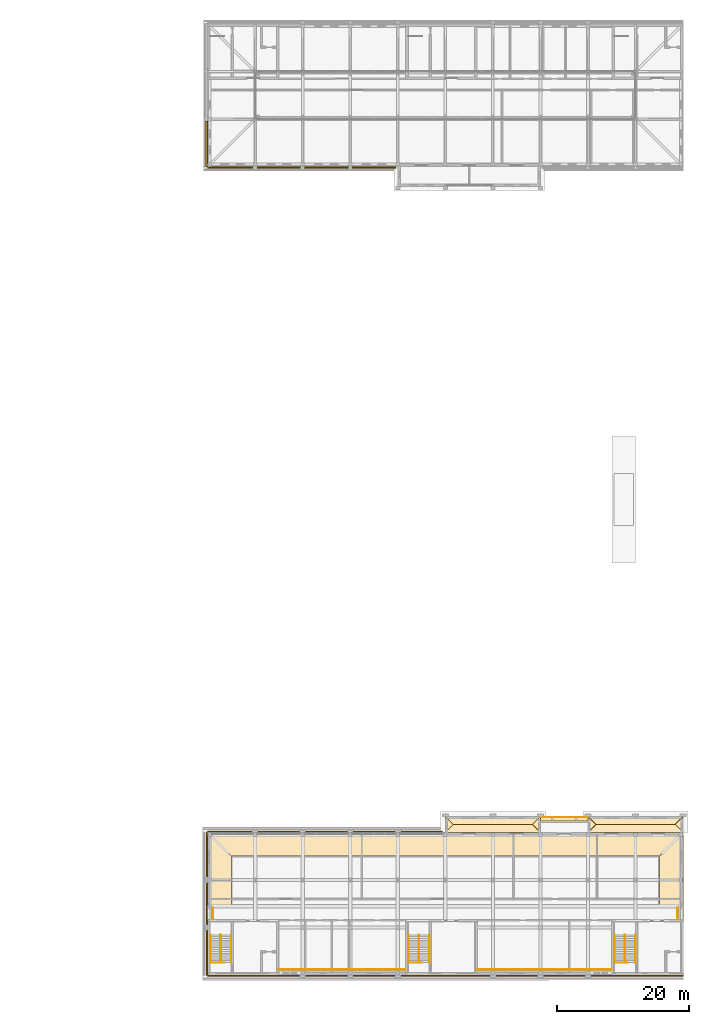
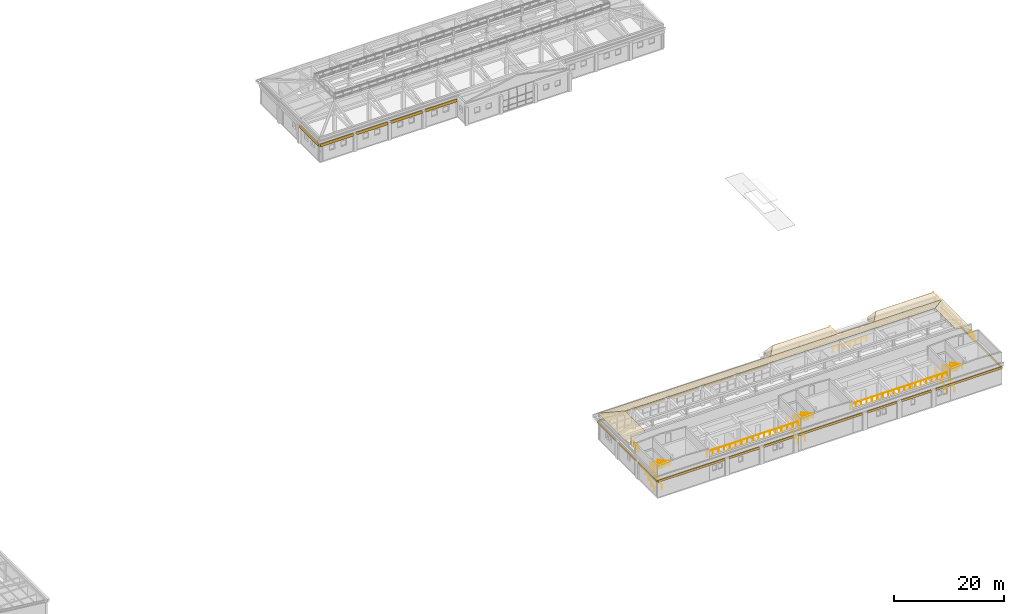
# One storey, part 47 of 48: 33 coverings, 20 railings.
"""IFC4 building model written with IfcOpenShell, lengths in metres."""

from ifc_helpers import new_model, si_unit, direction, frame, frame_2d, origin, origin_2d, place, context, subcontext, project, spatial, polyline, rectangle, circle, outline, extrude, material, layer, layer_set, type_object, element, save


model = new_model("IFC4")

# Units and contexts
model_context = context("Model", 3, precision=1e-05, world=origin(), true_north=direction((0.0, 1.0)))
body_context = subcontext(model_context, "Body", "Model", "MODEL_VIEW")
ifc_project = project(units=[si_unit("LENGTHUNIT", "METRE"), si_unit("AREAUNIT", "SQUARE_METRE"), si_unit("VOLUMEUNIT", "CUBIC_METRE"), si_unit("PLANEANGLEUNIT", "RADIAN"), si_unit("MASSUNIT", "GRAM", prefix="KILO")], contexts=[model_context])

# Site, building, storey
site_placement = place(None, origin())
site = spatial("IfcSite", under=ifc_project, at=site_placement, CompositionType="ELEMENT")
building_placement = place(site_placement, origin())
building = spatial("IfcBuilding", under=site, at=building_placement, Name="Alderwick Market Hall", CompositionType="ELEMENT")
storey_placement = place(building_placement, frame((0.0, 0.0, 14.39990234375)))
storey = spatial("IfcBuildingStorey", under=building, at=storey_placement, Name="L02", CompositionType="ELEMENT", Elevation=14.39990234375)

# Coverings
ifc_material_1 = material(Name="Copper standing seam roofing")
ifc_layer_1 = layer(ifc_material_1, 0.030029296875)
ifc_layer_set_1 = layer_set([ifc_layer_1], Name="Copper standing seam roofing")
covering_type_1 = type_object("IfcCoveringType", Name="C Copper Standing Seam Roofing", PredefinedType="ROOFING", material=ifc_layer_set_1)
covering_1_placement = place(storey_placement, frame((158.39990234375, 28.800048828125, 5.549560546875), z_axis=(0.0, 0.373591298385, 0.92759341404), x_axis=(1.0, 0.0, 0.0)))
element("IfcCovering", 1, at=covering_1_placement, inside=storey, type_object=covering_type_1, Name="C.roofing.L02.front", PredefinedType="ROOFING", context=body_context, shape_type="SweptSolid", body=[
    extrude(outline(polyline([(0.0, 0.0), (72.0, 0.0), (68.400146484375, -3.88111601673519), (3.60009765625, -3.88111601673519), (0.0, 0.0)])), origin(), (0.0, 0.0, -1.0), 0.030029296875),
])
covering_2_placement = place(storey_placement, frame((158.39990234375, 28.800048828125, 5.549560546875), z_axis=(-0.373591298385, 0.0, 0.92759341404), x_axis=(0.0, -1.0, 0.0)))
element("IfcCovering", 2, at=covering_2_placement, inside=storey, type_object=covering_type_1, Name="C.roofing.L02.west", PredefinedType="ROOFING", context=body_context, shape_type="SweptSolid", body=[
    extrude(outline(polyline([(0.0, 0.0), (11.0, 0.0), (11.0, 3.8811160167351906), (3.60009765625, 3.8811160167351906), (0.0, 0.0)])), origin(), (0.0, 0.0, -1.0), 0.030029296875),
])
covering_3_placement = place(storey_placement, frame((230.39990234375, 28.800048828125, 5.549560546875), z_axis=(0.373613098617, 0.0, 0.927584633627), x_axis=(0.0, -1.0, 0.0)))
element("IfcCovering", 3, at=covering_3_placement, inside=storey, type_object=covering_type_1, Name="C.roofing.L02.east", PredefinedType="ROOFING", context=body_context, shape_type="SweptSolid", body=[
    extrude(outline(polyline([(0.0, 0.0), (11.0, 0.0), (11.0, -3.8808895545711373), (3.60009765625, -3.8808895545711373), (0.0, 0.0)])), origin(), (0.0, 0.0, -1.0), 0.030029296875),
])
covering_4_placement = place(storey_placement, frame((194.39990234375, 31.199951171875, 5.080078125), z_axis=(0.0, 0.824739584531, 0.5655127034), x_axis=(1.0, 0.0, 0.0)))
element("IfcCovering", 4, at=covering_4_placement, inside=storey, type_object=covering_type_1, Name="C.proofing.L02.1.f", PredefinedType="ROOFING", context=body_context, shape_type="SweptSolid", body=[
    extrude(outline(polyline([(0.0, 0.0), (14.400146484375, 0.0), (13.2001953125, -2.121881904085189), (1.2001953125, -2.121881904085189), (0.0, 0.0)])), origin(), (0.0, 0.0, -1.0), 0.030029296875),
])
covering_5_placement = place(storey_placement, frame((208.800048828125, 28.800048828125, 5.080078125), z_axis=(0.0, -0.824739584531, 0.5655127034), x_axis=(-1.0, 0.0, 0.0)))
element("IfcCovering", 5, at=covering_5_placement, inside=storey, type_object=covering_type_1, Name="C.proofing.L02.1.b", PredefinedType="ROOFING", context=body_context, shape_type="SweptSolid", body=[
    extrude(outline(polyline([(0.0, 0.0), (14.400146484375, 0.0), (13.199951171875, -2.121881904085189), (1.199951171875, -2.121881904085189), (0.0, 0.0)])), origin(), (0.0, 0.0, -1.0), 0.030029296875),
])
covering_6_placement = place(storey_placement, frame((194.39990234375, 28.800048828125, 5.080078125), z_axis=(-0.824685920927, 0.0, 0.565590958047), x_axis=(0.0, 1.0, 0.0)))
element("IfcCovering", 6, at=covering_6_placement, inside=storey, type_object=covering_type_1, Name="C.proofing.L02.1.w", PredefinedType="ROOFING", context=body_context, shape_type="SweptSolid", body=[
    extrude(outline(polyline([(0.0, 0.0), (2.39990234375, 0.0), (1.199951171875, -2.122019978262922), (0.0, 0.0)])), origin(), (0.0, 0.0, -1.0), 0.030029296875),
])
covering_7_placement = place(storey_placement, frame((208.800048828125, 31.199951171875, 5.080078125), z_axis=(0.824739584531, 0.0, 0.5655127034), x_axis=(0.0, -1.0, 0.0)))
element("IfcCovering", 7, at=covering_7_placement, inside=storey, type_object=covering_type_1, Name="C.proofing.L02.1.e", PredefinedType="ROOFING", context=body_context, shape_type="SweptSolid", body=[
    extrude(outline(polyline([(0.0, 0.0), (2.39990234375, 0.0), (1.199951171875, -2.1218819040851886), (0.0, 0.0)])), origin(), (0.0, 0.0, -1.0), 0.030029296875),
])
for number, where, z_axis, x_axis, name in (
    (8, (216.0, 31.199951171875, 5.080078125), (0.0, 0.824739584531, 0.5655127034), (1.0, 0.0, 0.0), "C.proofing.L02.2.f"),
    (9, (230.39990234375, 28.800048828125, 5.080078125), (0.0, -0.824739584531, 0.5655127034), (-1.0, 0.0, 0.0), "C.proofing.L02.2.b"),
):
    element("IfcCovering", number, at=place(storey_placement, frame(where, z_axis=z_axis, x_axis=x_axis)), inside=storey, type_object=covering_type_1, Name=name, PredefinedType="ROOFING", context=body_context, shape_type="SweptSolid", body=[
        extrude(outline(polyline([(0.0, 0.0), (14.39990234375, 0.0), (13.199951171875, -2.1218819040851886), (1.199951171875, -2.1218819040851886), (0.0, 0.0)])), origin(), (0.0, 0.0, -1.0), 0.030029296875),
    ])
for number, where, z_axis, x_axis, name in (
    (10, (216.0, 28.800048828125, 5.080078125), (-0.824739584531, 0.0, 0.5655127034), (0.0, 1.0, 0.0), "C.proofing.L02.2.w"),
    (11, (230.39990234375, 31.199951171875, 5.080078125), (0.824739584531, 0.0, 0.5655127034), (0.0, -1.0, 0.0), "C.proofing.L02.2.e"),
):
    element("IfcCovering", number, at=place(storey_placement, frame(where, z_axis=z_axis, x_axis=x_axis)), inside=storey, type_object=covering_type_1, Name=name, PredefinedType="ROOFING", context=body_context, shape_type="SweptSolid", body=[
        extrude(outline(polyline([(0.0, 0.0), (2.39990234375, 0.0), (1.199951171875, -2.1218819040851886), (0.0, 0.0)])), origin(), (0.0, 0.0, -1.0), 0.030029296875),
    ])
ifc_material_2 = material(Name="Cast stone 5000 psi", Category="masonry")
ifc_layer_2 = layer(ifc_material_2, 0.199951171875)
ifc_layer_set_2 = layer_set([ifc_layer_2], Name="Cast stone 5000 psi")
covering_type_2 = type_object("IfcCoveringType", Name="C Frieze Cast Stone 200x450", PredefinedType="CLADDING", material=ifc_layer_set_2)
covering_8_placement = place(storey_placement, frame((158.39990234375, 28.89990234375, 3.4501953125), z_axis=(0.0, 0.0, 1.0), x_axis=(1.0, 0.0, 0.0)))
element("IfcCovering", 12, at=covering_8_placement, inside=storey, type_object=covering_type_2, Name="C.wall.L02.frieze.front.01", PredefinedType="CLADDING", context=body_context, shape_type="SweptSolid", body=[
    extrude(rectangle(XDim=6.75, YDim=0.199951171875, at=frame_2d((3.375, 0.0))), origin(), (0.0, 0.0, 1.0), 0.449951171875),
])
for number, where, z_axis, x_axis, name in (
    (13, (166.050048828125, 28.89990234375, 3.4501953125), (0.0, 0.0, 1.0), (1.0, 0.0, 0.0), "C.wall.L02.frieze.front.02"),
    (14, (173.25, 28.89990234375, 3.4501953125), (0.0, 0.0, 1.0), (1.0, 0.0, 0.0), "C.wall.L02.frieze.front.03"),
    (15, (180.449951171875, 28.89990234375, 3.4501953125), (0.0, 0.0, 1.0), (1.0, 0.0, 0.0), "C.wall.L02.frieze.front.04"),
    (16, (187.64990234375, 28.89990234375, 3.4501953125), (0.0, 0.0, 1.0), (1.0, 0.0, 0.0), "C.wall.L02.frieze.front.05"),
):
    element("IfcCovering", number, at=place(storey_placement, frame(where, z_axis=z_axis, x_axis=x_axis)), inside=storey, type_object=covering_type_2, Name=name, PredefinedType="CLADDING", context=body_context, shape_type="SweptSolid", body=[
        extrude(rectangle(XDim=6.300048828125, YDim=0.199951171875, at=frame_2d((3.14990234375, 0.0))), origin(), (0.0, 0.0, 1.0), 0.449951171875),
    ])
covering_9_placement = place(storey_placement, frame((172.35009765625, 7.10009765625, 3.4501953125), z_axis=(0.0, 0.0, 1.0), x_axis=(-1.0, 0.0, 0.0)))
element("IfcCovering", 17, at=covering_9_placement, inside=storey, type_object=covering_type_2, Name="C.wall.L02.frieze.back.01", PredefinedType="CLADDING", context=body_context, shape_type="SweptSolid", body=[
    extrude(rectangle(XDim=13.9501953125, YDim=0.199951171875, at=frame_2d((6.97509765625, 0.0))), origin(), (0.0, 0.0, 1.0), 0.449951171875),
])
for number, where, z_axis, x_axis, name in (
    (18, (179.550048828125, 7.10009765625, 3.4501953125), (0.0, 0.0, 1.0), (-1.0, 0.0, 0.0), "C.wall.L02.frieze.back.02"),
    (19, (186.75, 7.10009765625, 3.4501953125), (0.0, 0.0, 1.0), (-1.0, 0.0, 0.0), "C.wall.L02.frieze.back.03"),
):
    element("IfcCovering", number, at=place(storey_placement, frame(where, z_axis=z_axis, x_axis=x_axis)), inside=storey, type_object=covering_type_2, Name=name, PredefinedType="CLADDING", context=body_context, shape_type="SweptSolid", body=[
        extrude(rectangle(XDim=6.300048828125, YDim=0.199951171875, at=frame_2d((3.14990234375, 0.0))), origin(), (0.0, 0.0, 1.0), 0.449951171875),
    ])
covering_10_placement = place(storey_placement, frame((201.14990234375, 7.10009765625, 3.4501953125), z_axis=(0.0, 0.0, 1.0), x_axis=(-1.0, 0.0, 0.0)))
element("IfcCovering", 20, at=covering_10_placement, inside=storey, type_object=covering_type_2, Name="C.wall.L02.frieze.back.04", PredefinedType="CLADDING", context=body_context, shape_type="SweptSolid", body=[
    extrude(rectangle(XDim=13.5, YDim=0.199951171875, at=frame_2d((6.75, 0.0))), origin(), (0.0, 0.0, 1.0), 0.449951171875),
])
for number, where, z_axis, x_axis, name in (
    (21, (208.35009765625, 7.10009765625, 3.4501953125), (0.0, 0.0, 1.0), (-1.0, 0.0, 0.0), "C.wall.L02.frieze.back.05"),
    (22, (215.550048828125, 7.10009765625, 3.4501953125), (0.0, 0.0, 1.0), (-1.0, 0.0, 0.0), "C.wall.L02.frieze.back.06"),
):
    element("IfcCovering", number, at=place(storey_placement, frame(where, z_axis=z_axis, x_axis=x_axis)), inside=storey, type_object=covering_type_2, Name=name, PredefinedType="CLADDING", context=body_context, shape_type="SweptSolid", body=[
        extrude(rectangle(XDim=6.300048828125, YDim=0.199951171875, at=frame_2d((3.14990234375, 0.0))), origin(), (0.0, 0.0, 1.0), 0.449951171875),
    ])
covering_11_placement = place(storey_placement, frame((230.39990234375, 7.10009765625, 3.4501953125), z_axis=(0.0, 0.0, 1.0), x_axis=(-1.0, 0.0, 0.0)))
element("IfcCovering", 23, at=covering_11_placement, inside=storey, type_object=covering_type_2, Name="C.wall.L02.frieze.back.07", PredefinedType="CLADDING", context=body_context, shape_type="SweptSolid", body=[
    extrude(rectangle(XDim=13.949951171875, YDim=0.199951171875, at=frame_2d((6.97509765625, 0.0))), origin(), (0.0, 0.0, 1.0), 0.449951171875),
])
covering_12_placement = place(storey_placement, frame((158.300048828125, 22.050048828125, 3.4501953125), z_axis=(0.0, 0.0, 1.0), x_axis=(0.0, 1.0, 0.0)))
element("IfcCovering", 24, at=covering_12_placement, inside=storey, type_object=covering_type_2, Name="C.wall.L02.frieze.west.01", PredefinedType="CLADDING", context=body_context, shape_type="SweptSolid", body=[
    extrude(rectangle(XDim=6.75, YDim=0.199951171875, at=frame_2d((3.375, 0.0))), origin(), (0.0, 0.0, 1.0), 0.449951171875),
])
covering_13_placement = place(storey_placement, frame((158.300048828125, 14.85009765625, 3.4501953125), z_axis=(0.0, 0.0, 1.0), x_axis=(0.0, 1.0, 0.0)))
element("IfcCovering", 25, at=covering_13_placement, inside=storey, type_object=covering_type_2, Name="C.wall.L02.frieze.west.02", PredefinedType="CLADDING", context=body_context, shape_type="SweptSolid", body=[
    extrude(rectangle(XDim=6.2998046875, YDim=0.199951171875, at=frame_2d((3.14990234375, 0.0))), origin(), (0.0, 0.0, 1.0), 0.449951171875),
])
covering_14_placement = place(storey_placement, frame((158.300048828125, 7.199951171875, 3.4501953125), z_axis=(0.0, 0.0, 1.0), x_axis=(0.0, 1.0, 0.0)))
element("IfcCovering", 26, at=covering_14_placement, inside=storey, type_object=covering_type_2, Name="C.wall.L02.frieze.west.03", PredefinedType="CLADDING", context=body_context, shape_type="SweptSolid", body=[
    extrude(rectangle(XDim=6.75, YDim=0.199951171875, at=frame_2d((3.375, 0.0))), origin(), (0.0, 0.0, 1.0), 0.449951171875),
])
covering_15_placement = place(storey_placement, frame((230.300048828125, 28.800048828125, 3.4501953125), z_axis=(0.0, 0.0, 1.0), x_axis=(0.0, -1.0, 0.0)))
element("IfcCovering", 27, at=covering_15_placement, inside=storey, type_object=covering_type_2, Name="C.wall.L02.frieze.east.01", PredefinedType="CLADDING", context=body_context, shape_type="SweptSolid", body=[
    extrude(rectangle(XDim=21.60009765625, YDim=0.199951171875, at=frame_2d((10.800048828125, 0.0))), origin(), (0.0, 0.0, 1.0), 0.449951171875),
])
ifc_layer_3 = layer(ifc_material_2, 0.449951171875)
ifc_layer_set_3 = layer_set([ifc_layer_3], Name="Cast stone 5000 psi")
covering_type_3 = type_object("IfcCoveringType", Name="C Loggia Architrave Cast Stone 450x350", PredefinedType="CLADDING", material=ifc_layer_set_3)
covering_16_placement = place(storey_placement, frame((208.800048828125, 30.75, 3.9501953125), z_axis=(0.0, 0.0, 1.0), x_axis=(1.0, 0.0, 0.0)))
element("IfcCovering", 28, at=covering_16_placement, inside=storey, type_object=covering_type_3, Name="C.wall.L02.loggia.architrave.01", PredefinedType="CLADDING", context=body_context, shape_type="SweptSolid", body=[
    extrude(rectangle(XDim=7.199951171875, YDim=0.449951171875, at=frame_2d((3.60009765625, 0.0))), origin(), (0.0, 0.0, 1.0), 0.349853515625),
])

# Railings
ifc_material_3 = material(Name="Steel ASTM A500 Grade C", Category="steel")
railing_type_1 = type_object("IfcRailingType", Name="C Loggia Balustrade 1100", PredefinedType="BALUSTRADE", material=ifc_material_3)
railing_1_placement = place(storey_placement, frame((208.85009765625, 31.10009765625, 0.0)))
element("IfcRailing", 29, at=railing_1_placement, inside=storey, type_object=railing_type_1, Name="C.guard.L02.loggia", PredefinedType="BALUSTRADE", context=body_context, shape_type="SweptSolid", body=[
    extrude(circle(Radius=0.02392578125, at=origin_2d()), frame((0.0, 0.0, 1.076171875), z_axis=(1.0, 0.0, 0.0), x_axis=(0.0, 1.0, 0.0)), (0.0, 0.0, 1.0), 7.099853515625),
    extrude(circle(Radius=0.02099609375, at=origin_2d()), origin(), (0.0, 0.0, 1.0), 1.052001953125),
    extrude(circle(Radius=0.02099609375, at=origin_2d()), frame((1.183349609375, 0.0, 0.0)), (0.0, 0.0, 1.0), 1.052001953125),
    extrude(circle(Radius=0.02099609375, at=origin_2d()), frame((2.36669921875, 0.0, 0.0)), (0.0, 0.0, 1.0), 1.052001953125),
    extrude(circle(Radius=0.02099609375, at=origin_2d()), frame((3.5498046875, 0.0, 0.0)), (0.0, 0.0, 1.0), 1.052001953125),
    extrude(circle(Radius=0.02099609375, at=origin_2d()), frame((4.733154296875, 0.0, 0.0)), (0.0, 0.0, 1.0), 1.052001953125),
    extrude(circle(Radius=0.02099609375, at=origin_2d()), frame((5.91650390625, 0.0, 0.0)), (0.0, 0.0, 1.0), 1.052001953125),
    extrude(circle(Radius=0.02099609375, at=origin_2d()), frame((7.099853515625, 0.0, 0.0)), (0.0, 0.0, 1.0), 1.052001953125),
])
railing_type_2 = type_object("IfcRailingType", Name="C Roof Edge Balustrade 1100", PredefinedType="BALUSTRADE", material=ifc_material_3)
for number, where, name in (
    (30, (159.25, 17.35009765625, 4.800048828125), "C.guard.L02.roof.01"),
    (31, (229.550048828125, 17.35009765625, 4.800048828125), "C.guard.L02.roof.02"),
):
    element("IfcRailing", number, at=place(storey_placement, frame(where)), inside=storey, type_object=railing_type_2, Name=name, PredefinedType="BALUSTRADE", context=body_context, shape_type="SweptSolid", body=[
        extrude(circle(Radius=0.02392578125, at=origin_2d()), frame((0.0, 0.0, 1.076171875), z_axis=(0.0, -1.0, 0.0), x_axis=(1.0, 0.0, 0.0)), (0.0, 0.0, 1.0), 1.75),
        extrude(circle(Radius=0.02099609375, at=origin_2d()), origin(), (0.0, 0.0, 1.0), 1.052001953125),
        extrude(circle(Radius=0.02099609375, at=origin_2d()), frame((0.0, -0.875, 0.0)), (0.0, 0.0, 1.0), 1.052001953125),
        extrude(circle(Radius=0.02099609375, at=origin_2d()), frame((0.0, -1.75, 0.0)), (0.0, 0.0, 1.0), 1.052001953125),
    ])
railing_2_placement = place(storey_placement, frame((169.199951171875, 8.050048828125, 4.800048828125)))
element("IfcRailing", 32, at=railing_2_placement, inside=storey, type_object=railing_type_2, Name="C.guard.L02.roof.03", PredefinedType="BALUSTRADE", context=body_context, shape_type="SweptSolid", body=[
    extrude(circle(Radius=0.02392578125, at=origin_2d()), frame((0.0, 0.0, 1.076171875), z_axis=(1.0, 0.0, 0.0), x_axis=(0.0, 1.0, 0.0)), (0.0, 0.0, 1.0), 19.199951171875),
    extrude(circle(Radius=0.02099609375, at=origin_2d()), origin(), (0.0, 0.0, 1.0), 1.052001953125),
    extrude(circle(Radius=0.02099609375, at=origin_2d()), frame((1.199951171875, 0.0, 0.0)), (0.0, 0.0, 1.0), 1.052001953125),
    extrude(circle(Radius=0.02099609375, at=origin_2d()), frame((2.39990234375, 0.0, 0.0)), (0.0, 0.0, 1.0), 1.052001953125),
    extrude(circle(Radius=0.02099609375, at=origin_2d()), frame((3.60009765625, 0.0, 0.0)), (0.0, 0.0, 1.0), 1.052001953125),
    extrude(circle(Radius=0.02099609375, at=origin_2d()), frame((4.800048828125, 0.0, 0.0)), (0.0, 0.0, 1.0), 1.052001953125),
    extrude(circle(Radius=0.02099609375, at=origin_2d()), frame((6.0, 0.0, 0.0)), (0.0, 0.0, 1.0), 1.052001953125),
    extrude(circle(Radius=0.02099609375, at=origin_2d()), frame((7.199951171875, 0.0, 0.0)), (0.0, 0.0, 1.0), 1.052001953125),
    extrude(circle(Radius=0.02099609375, at=origin_2d()), frame((8.39990234375, 0.0, 0.0)), (0.0, 0.0, 1.0), 1.052001953125),
    extrude(circle(Radius=0.02099609375, at=origin_2d()), frame((9.60009765625, 0.0, 0.0)), (0.0, 0.0, 1.0), 1.052001953125),
    extrude(circle(Radius=0.02099609375, at=origin_2d()), frame((10.800048828125, 0.0, 0.0)), (0.0, 0.0, 1.0), 1.052001953125),
    extrude(circle(Radius=0.02099609375, at=origin_2d()), frame((12.0, 0.0, 0.0)), (0.0, 0.0, 1.0), 1.052001953125),
    extrude(circle(Radius=0.02099609375, at=origin_2d()), frame((13.199951171875, 0.0, 0.0)), (0.0, 0.0, 1.0), 1.052001953125),
    extrude(circle(Radius=0.02099609375, at=origin_2d()), frame((14.39990234375, 0.0, 0.0)), (0.0, 0.0, 1.0), 1.052001953125),
    extrude(circle(Radius=0.02099609375, at=origin_2d()), frame((15.599853515625, 0.0, 0.0)), (0.0, 0.0, 1.0), 1.052001953125),
    extrude(circle(Radius=0.02099609375, at=origin_2d()), frame((16.800048828125, 0.0, 0.0)), (0.0, 0.0, 1.0), 1.052001953125),
    extrude(circle(Radius=0.02099609375, at=origin_2d()), frame((18.0, 0.0, 0.0)), (0.0, 0.0, 1.0), 1.052001953125),
    extrude(circle(Radius=0.02099609375, at=origin_2d()), frame((19.199951171875, 0.0, 0.0)), (0.0, 0.0, 1.0), 1.052001953125),
])
railing_3_placement = place(storey_placement, frame((199.199951171875, 8.050048828125, 4.800048828125)))
element("IfcRailing", 33, at=railing_3_placement, inside=storey, type_object=railing_type_2, Name="C.guard.L02.roof.04", PredefinedType="BALUSTRADE", context=body_context, shape_type="SweptSolid", body=[
    extrude(circle(Radius=0.02392578125, at=origin_2d()), frame((0.0, 0.0, 1.076171875), z_axis=(1.0, 0.0, 0.0), x_axis=(0.0, 1.0, 0.0)), (0.0, 0.0, 1.0), 20.400146484375),
    extrude(circle(Radius=0.02099609375, at=origin_2d()), origin(), (0.0, 0.0, 1.0), 1.052001953125),
    extrude(circle(Radius=0.02099609375, at=origin_2d()), frame((1.13330078125, 0.0, 0.0)), (0.0, 0.0, 1.0), 1.052001953125),
    extrude(circle(Radius=0.02099609375, at=origin_2d()), frame((2.2666015625, 0.0, 0.0)), (0.0, 0.0, 1.0), 1.052001953125),
    extrude(circle(Radius=0.02099609375, at=origin_2d()), frame((3.39990234375, 0.0, 0.0)), (0.0, 0.0, 1.0), 1.052001953125),
    extrude(circle(Radius=0.02099609375, at=origin_2d()), frame((4.533447265625, 0.0, 0.0)), (0.0, 0.0, 1.0), 1.052001953125),
    extrude(circle(Radius=0.02099609375, at=origin_2d()), frame((5.666748046875, 0.0, 0.0)), (0.0, 0.0, 1.0), 1.052001953125),
    extrude(circle(Radius=0.02099609375, at=origin_2d()), frame((6.800048828125, 0.0, 0.0)), (0.0, 0.0, 1.0), 1.052001953125),
    extrude(circle(Radius=0.02099609375, at=origin_2d()), frame((7.933349609375, 0.0, 0.0)), (0.0, 0.0, 1.0), 1.052001953125),
    extrude(circle(Radius=0.02099609375, at=origin_2d()), frame((9.066650390625, 0.0, 0.0)), (0.0, 0.0, 1.0), 1.052001953125),
    extrude(circle(Radius=0.02099609375, at=origin_2d()), frame((10.2001953125, 0.0, 0.0)), (0.0, 0.0, 1.0), 1.052001953125),
    extrude(circle(Radius=0.02099609375, at=origin_2d()), frame((11.33349609375, 0.0, 0.0)), (0.0, 0.0, 1.0), 1.052001953125),
    extrude(circle(Radius=0.02099609375, at=origin_2d()), frame((12.466796875, 0.0, 0.0)), (0.0, 0.0, 1.0), 1.052001953125),
    extrude(circle(Radius=0.02099609375, at=origin_2d()), frame((13.60009765625, 0.0, 0.0)), (0.0, 0.0, 1.0), 1.052001953125),
    extrude(circle(Radius=0.02099609375, at=origin_2d()), frame((14.7333984375, 0.0, 0.0)), (0.0, 0.0, 1.0), 1.052001953125),
    extrude(circle(Radius=0.02099609375, at=origin_2d()), frame((15.86669921875, 0.0, 0.0)), (0.0, 0.0, 1.0), 1.052001953125),
    extrude(circle(Radius=0.02099609375, at=origin_2d()), frame((17.0, 0.0, 0.0)), (0.0, 0.0, 1.0), 1.052001953125),
    extrude(circle(Radius=0.02099609375, at=origin_2d()), frame((18.133544921875, 0.0, 0.0)), (0.0, 0.0, 1.0), 1.052001953125),
    extrude(circle(Radius=0.02099609375, at=origin_2d()), frame((19.266845703125, 0.0, 0.0)), (0.0, 0.0, 1.0), 1.052001953125),
    extrude(circle(Radius=0.02099609375, at=origin_2d()), frame((20.400146484375, 0.0, 0.0)), (0.0, 0.0, 1.0), 1.052001953125),
])
railing_type_3 = type_object("IfcRailingType", Name="C Stair Handrail 900", PredefinedType="HANDRAIL", material=ifc_material_3)
for number, where, name in (
    (34, (158.820068359375, 9.10009765625, 0.150146484375), "C.rail.L02.A.1"),
    (35, (160.3798828125, 9.10009765625, 0.150146484375), "C.rail.L02.A.2"),
):
    element("IfcRailing", number, at=place(storey_placement, frame(where)), inside=storey, type_object=railing_type_3, Name=name, PredefinedType="HANDRAIL", context=body_context, shape_type="SweptSolid", body=[
        extrude(circle(Radius=0.02392578125, at=origin_2d()), frame((0.0, 0.0, 0.8759765625), z_axis=(0.0, 0.881477684796, 0.472225678258), x_axis=(-1.0, 0.0, 0.0)), (0.0, 0.0, 1.0), 4.7646484375),
        extrude(circle(Radius=0.02099609375, at=origin_2d()), origin(), (0.0, 0.0, 1.0), 0.851806640625),
        extrude(circle(Radius=0.02099609375, at=origin_2d()), frame((0.0, 1.050048828125, 0.5625)), (0.0, 0.0, 1.0), 0.851806640625),
        extrude(circle(Radius=0.02099609375, at=origin_2d()), frame((0.0, 2.10009765625, 1.125)), (0.0, 0.0, 1.0), 0.851806640625),
        extrude(circle(Radius=0.02099609375, at=origin_2d()), frame((0.0, 3.14990234375, 1.6875)), (0.0, 0.0, 1.0), 0.851806640625),
        extrude(circle(Radius=0.02099609375, at=origin_2d()), frame((0.0, 4.199951171875, 2.25)), (0.0, 0.0, 1.0), 0.851806640625),
    ])
for number, where, name in (
    (36, (160.419921875, 13.300048828125, 2.550048828125), "C.rail.L02.A.3"),
    (37, (161.97998046875, 13.300048828125, 2.550048828125), "C.rail.L02.A.4"),
):
    element("IfcRailing", number, at=place(storey_placement, frame(where)), inside=storey, type_object=railing_type_3, Name=name, PredefinedType="HANDRAIL", context=body_context, shape_type="SweptSolid", body=[
        extrude(circle(Radius=0.02392578125, at=origin_2d()), frame((0.0, 0.0, 0.8759765625), z_axis=(0.0, -0.881477684796, 0.472225678258), x_axis=(1.0, 0.0, 0.0)), (0.0, 0.0, 1.0), 4.7646484375),
        extrude(circle(Radius=0.02099609375, at=origin_2d()), origin(), (0.0, 0.0, 1.0), 0.851806640625),
        extrude(circle(Radius=0.02099609375, at=origin_2d()), frame((0.0, -1.050048828125, 0.5625)), (0.0, 0.0, 1.0), 0.851806640625),
        extrude(circle(Radius=0.02099609375, at=origin_2d()), frame((0.0, -2.10009765625, 1.125)), (0.0, 0.0, 1.0), 0.851806640625),
        extrude(circle(Radius=0.02099609375, at=origin_2d()), frame((0.0, -3.14990234375, 1.6875)), (0.0, 0.0, 1.0), 0.851806640625),
        extrude(circle(Radius=0.02099609375, at=origin_2d()), frame((0.0, -4.199951171875, 2.25)), (0.0, 0.0, 1.0), 0.851806640625),
    ])
for number, where, name in (
    (38, (188.820068359375, 9.10009765625, 0.150146484375), "C.rail.L02.B.1"),
    (39, (190.3798828125, 9.10009765625, 0.150146484375), "C.rail.L02.B.2"),
):
    element("IfcRailing", number, at=place(storey_placement, frame(where)), inside=storey, type_object=railing_type_3, Name=name, PredefinedType="HANDRAIL", context=body_context, shape_type="SweptSolid", body=[
        extrude(circle(Radius=0.02392578125, at=origin_2d()), frame((0.0, 0.0, 0.8759765625), z_axis=(0.0, 0.881477684796, 0.472225678258), x_axis=(-1.0, 0.0, 0.0)), (0.0, 0.0, 1.0), 4.7646484375),
        extrude(circle(Radius=0.02099609375, at=origin_2d()), origin(), (0.0, 0.0, 1.0), 0.851806640625),
        extrude(circle(Radius=0.02099609375, at=origin_2d()), frame((0.0, 1.050048828125, 0.5625)), (0.0, 0.0, 1.0), 0.851806640625),
        extrude(circle(Radius=0.02099609375, at=origin_2d()), frame((0.0, 2.10009765625, 1.125)), (0.0, 0.0, 1.0), 0.851806640625),
        extrude(circle(Radius=0.02099609375, at=origin_2d()), frame((0.0, 3.14990234375, 1.6875)), (0.0, 0.0, 1.0), 0.851806640625),
        extrude(circle(Radius=0.02099609375, at=origin_2d()), frame((0.0, 4.199951171875, 2.25)), (0.0, 0.0, 1.0), 0.851806640625),
    ])
for number, where, name in (
    (40, (190.419921875, 13.300048828125, 2.550048828125), "C.rail.L02.B.3"),
    (41, (191.97998046875, 13.300048828125, 2.550048828125), "C.rail.L02.B.4"),
):
    element("IfcRailing", number, at=place(storey_placement, frame(where)), inside=storey, type_object=railing_type_3, Name=name, PredefinedType="HANDRAIL", context=body_context, shape_type="SweptSolid", body=[
        extrude(circle(Radius=0.02392578125, at=origin_2d()), frame((0.0, 0.0, 0.8759765625), z_axis=(0.0, -0.881477684796, 0.472225678258), x_axis=(1.0, 0.0, 0.0)), (0.0, 0.0, 1.0), 4.7646484375),
        extrude(circle(Radius=0.02099609375, at=origin_2d()), origin(), (0.0, 0.0, 1.0), 0.851806640625),
        extrude(circle(Radius=0.02099609375, at=origin_2d()), frame((0.0, -1.050048828125, 0.5625)), (0.0, 0.0, 1.0), 0.851806640625),
        extrude(circle(Radius=0.02099609375, at=origin_2d()), frame((0.0, -2.10009765625, 1.125)), (0.0, 0.0, 1.0), 0.851806640625),
        extrude(circle(Radius=0.02099609375, at=origin_2d()), frame((0.0, -3.14990234375, 1.6875)), (0.0, 0.0, 1.0), 0.851806640625),
        extrude(circle(Radius=0.02099609375, at=origin_2d()), frame((0.0, -4.199951171875, 2.25)), (0.0, 0.0, 1.0), 0.851806640625),
    ])
for number, where, name in (
    (42, (220.02001953125, 9.10009765625, 0.150146484375), "C.rail.L02.C.1"),
    (43, (221.580078125, 9.10009765625, 0.150146484375), "C.rail.L02.C.2"),
):
    element("IfcRailing", number, at=place(storey_placement, frame(where)), inside=storey, type_object=railing_type_3, Name=name, PredefinedType="HANDRAIL", context=body_context, shape_type="SweptSolid", body=[
        extrude(circle(Radius=0.02392578125, at=origin_2d()), frame((0.0, 0.0, 0.8759765625), z_axis=(0.0, 0.881477684796, 0.472225678258), x_axis=(-1.0, 0.0, 0.0)), (0.0, 0.0, 1.0), 4.7646484375),
        extrude(circle(Radius=0.02099609375, at=origin_2d()), origin(), (0.0, 0.0, 1.0), 0.851806640625),
        extrude(circle(Radius=0.02099609375, at=origin_2d()), frame((0.0, 1.050048828125, 0.5625)), (0.0, 0.0, 1.0), 0.851806640625),
        extrude(circle(Radius=0.02099609375, at=origin_2d()), frame((0.0, 2.10009765625, 1.125)), (0.0, 0.0, 1.0), 0.851806640625),
        extrude(circle(Radius=0.02099609375, at=origin_2d()), frame((0.0, 3.14990234375, 1.6875)), (0.0, 0.0, 1.0), 0.851806640625),
        extrude(circle(Radius=0.02099609375, at=origin_2d()), frame((0.0, 4.199951171875, 2.25)), (0.0, 0.0, 1.0), 0.851806640625),
    ])
for number, where, name in (
    (44, (221.6201171875, 13.300048828125, 2.550048828125), "C.rail.L02.C.3"),
    (45, (223.179931640625, 13.300048828125, 2.550048828125), "C.rail.L02.C.4"),
):
    element("IfcRailing", number, at=place(storey_placement, frame(where)), inside=storey, type_object=railing_type_3, Name=name, PredefinedType="HANDRAIL", context=body_context, shape_type="SweptSolid", body=[
        extrude(circle(Radius=0.02392578125, at=origin_2d()), frame((0.0, 0.0, 0.8759765625), z_axis=(0.0, -0.881477684796, 0.472225678258), x_axis=(1.0, 0.0, 0.0)), (0.0, 0.0, 1.0), 4.7646484375),
        extrude(circle(Radius=0.02099609375, at=origin_2d()), origin(), (0.0, 0.0, 1.0), 0.851806640625),
        extrude(circle(Radius=0.02099609375, at=origin_2d()), frame((0.0, -1.050048828125, 0.5625)), (0.0, 0.0, 1.0), 0.851806640625),
        extrude(circle(Radius=0.02099609375, at=origin_2d()), frame((0.0, -2.10009765625, 1.125)), (0.0, 0.0, 1.0), 0.851806640625),
        extrude(circle(Radius=0.02099609375, at=origin_2d()), frame((0.0, -3.14990234375, 1.6875)), (0.0, 0.0, 1.0), 0.851806640625),
        extrude(circle(Radius=0.02099609375, at=origin_2d()), frame((0.0, -4.199951171875, 2.25)), (0.0, 0.0, 1.0), 0.851806640625),
    ])
railing_type_4 = type_object("IfcRailingType", Name="C Stair Well Guard 1100", PredefinedType="GUARDRAIL", material=ifc_material_3)
for number, where, name in (
    (46, (158.830078125, 9.050048828125, 4.800048828125), "C.guard.L02.A.well"),
    (47, (188.830078125, 9.050048828125, 4.800048828125), "C.guard.L02.B.well"),
):
    element("IfcRailing", number, at=place(storey_placement, frame(where)), inside=storey, type_object=railing_type_4, Name=name, PredefinedType="GUARDRAIL", context=body_context, shape_type="SweptSolid", body=[
        extrude(circle(Radius=0.02392578125, at=origin_2d()), frame((0.0, 0.0, 1.076171875), z_axis=(1.0, 0.0, 0.0), x_axis=(0.0, 1.0, 0.0)), (0.0, 0.0, 1.0), 2.0498046875),
        extrude(circle(Radius=0.02099609375, at=origin_2d()), origin(), (0.0, 0.0, 1.0), 1.052001953125),
        extrude(circle(Radius=0.02099609375, at=origin_2d()), frame((0.683349609375, 0.0, 0.0)), (0.0, 0.0, 1.0), 1.052001953125),
        extrude(circle(Radius=0.02099609375, at=origin_2d()), frame((1.366455078125, 0.0, 0.0)), (0.0, 0.0, 1.0), 1.052001953125),
        extrude(circle(Radius=0.02099609375, at=origin_2d()), frame((2.0498046875, 0.0, 0.0)), (0.0, 0.0, 1.0), 1.052001953125),
    ])
railing_4_placement = place(storey_placement, frame((220.030029296875, 9.050048828125, 4.800048828125)))
element("IfcRailing", 48, at=railing_4_placement, inside=storey, type_object=railing_type_4, Name="C.guard.L02.C.well", PredefinedType="GUARDRAIL", context=body_context, shape_type="SweptSolid", body=[
    extrude(circle(Radius=0.02392578125, at=origin_2d()), frame((0.0, 0.0, 1.076171875), z_axis=(1.0, 0.0, 0.0), x_axis=(0.0, 1.0, 0.0)), (0.0, 0.0, 1.0), 2.050048828125),
    extrude(circle(Radius=0.02099609375, at=origin_2d()), origin(), (0.0, 0.0, 1.0), 1.052001953125),
    extrude(circle(Radius=0.02099609375, at=origin_2d()), frame((0.683349609375, 0.0, 0.0)), (0.0, 0.0, 1.0), 1.052001953125),
    extrude(circle(Radius=0.02099609375, at=origin_2d()), frame((1.36669921875, 0.0, 0.0)), (0.0, 0.0, 1.0), 1.052001953125),
    extrude(circle(Radius=0.02099609375, at=origin_2d()), frame((2.050048828125, 0.0, 0.0)), (0.0, 0.0, 1.0), 1.052001953125),
])

# Coverings
ifc_layer_4 = layer(ifc_material_2, 0.25)
ifc_layer_set_4 = layer_set([ifc_layer_4], Name="Cast stone 5000 psi")
covering_type_4 = type_object("IfcCoveringType", Name="F Frieze Cast Stone 250x600", PredefinedType="CLADDING", material=ifc_layer_set_4)
covering_17_placement = place(storey_placement, frame((165.300048828125, 129.47509765625, 3.4501953125), z_axis=(0.0, 0.0, 1.0), x_axis=(-1.0, 0.0, 0.0)))
element("IfcCovering", 49, at=covering_17_placement, inside=storey, type_object=covering_type_4, Name="F.wall.L02.frieze.front.01", PredefinedType="CLADDING", context=body_context, shape_type="SweptSolid", body=[
    extrude(rectangle(XDim=6.900146484375, YDim=0.25, at=frame_2d((3.4501953125, 0.0))), origin(), (0.0, 0.0, 1.0), 0.599853515625),
])
covering_18_placement = place(storey_placement, frame((172.5, 129.47509765625, 3.4501953125), z_axis=(0.0, 0.0, 1.0), x_axis=(-1.0, 0.0, 0.0)))
element("IfcCovering", 50, at=covering_18_placement, inside=storey, type_object=covering_type_4, Name="F.wall.L02.frieze.front.02", PredefinedType="CLADDING", context=body_context, shape_type="SweptSolid", body=[
    extrude(rectangle(XDim=6.60009765625, YDim=0.25, at=frame_2d((3.300048828125, 0.0))), origin(), (0.0, 0.0, 1.0), 0.599853515625),
])
for number, where, z_axis, x_axis, name in (
    (51, (179.699951171875, 129.47509765625, 3.4501953125), (0.0, 0.0, 1.0), (-1.0, 0.0, 0.0), "F.wall.L02.frieze.front.03"),
    (52, (186.89990234375, 129.47509765625, 3.4501953125), (0.0, 0.0, 1.0), (-1.0, 0.0, 0.0), "F.wall.L02.frieze.front.04"),
):
    element("IfcCovering", number, at=place(storey_placement, frame(where, z_axis=z_axis, x_axis=x_axis)), inside=storey, type_object=covering_type_4, Name=name, PredefinedType="CLADDING", context=body_context, shape_type="SweptSolid", body=[
        extrude(rectangle(XDim=6.599853515625, YDim=0.25, at=frame_2d((3.2998046875, 0.0))), origin(), (0.0, 0.0, 1.0), 0.599853515625),
    ])
covering_19_placement = place(storey_placement, frame((158.27490234375, 129.60009765625, 3.4501953125), z_axis=(0.0, 0.0, 1.0), x_axis=(0.0, 1.0, 0.0)))
element("IfcCovering", 53, at=covering_19_placement, inside=storey, type_object=covering_type_4, Name="F.wall.L02.frieze.west.01", PredefinedType="CLADDING", context=body_context, shape_type="SweptSolid", body=[
    extrude(rectangle(XDim=6.89990234375, YDim=0.25, at=frame_2d((3.449951171875, 0.0))), origin(), (0.0, 0.0, 1.0), 0.599853515625),
])

save(model, "model.ifc")
